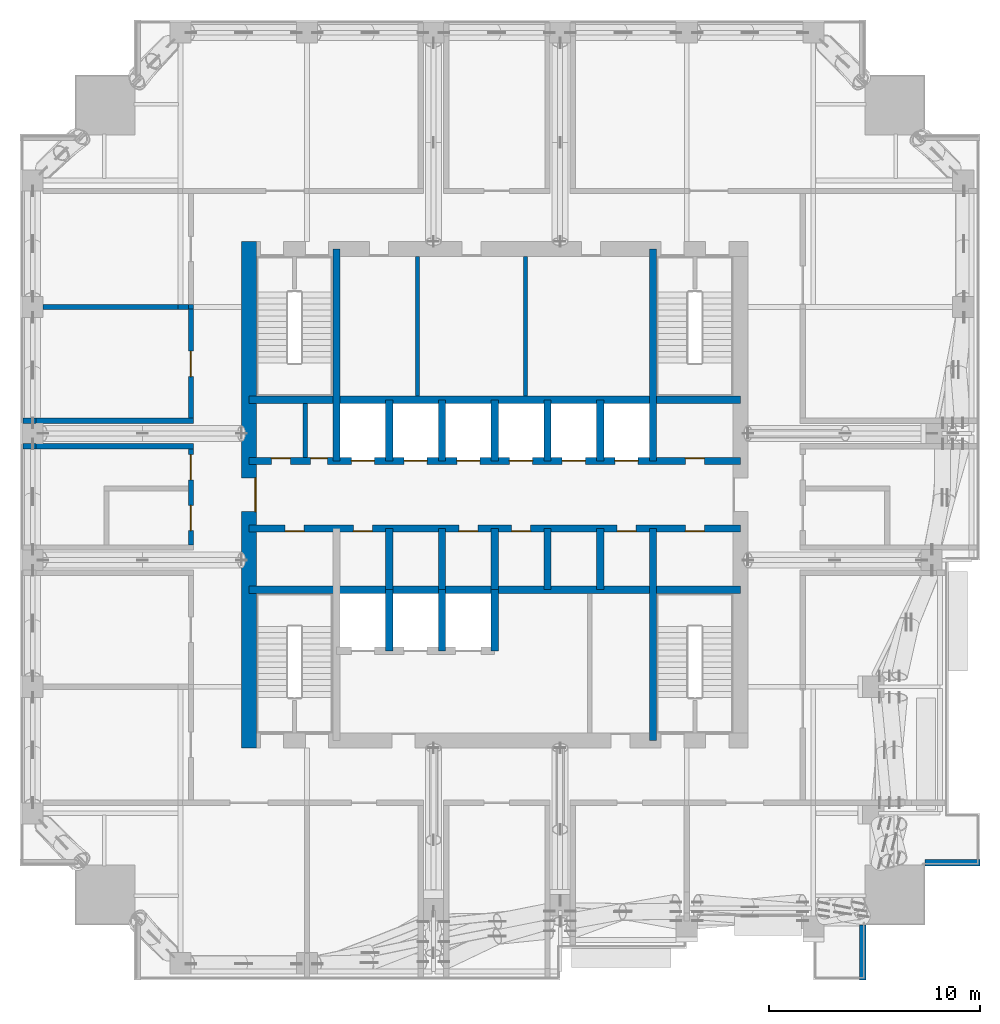
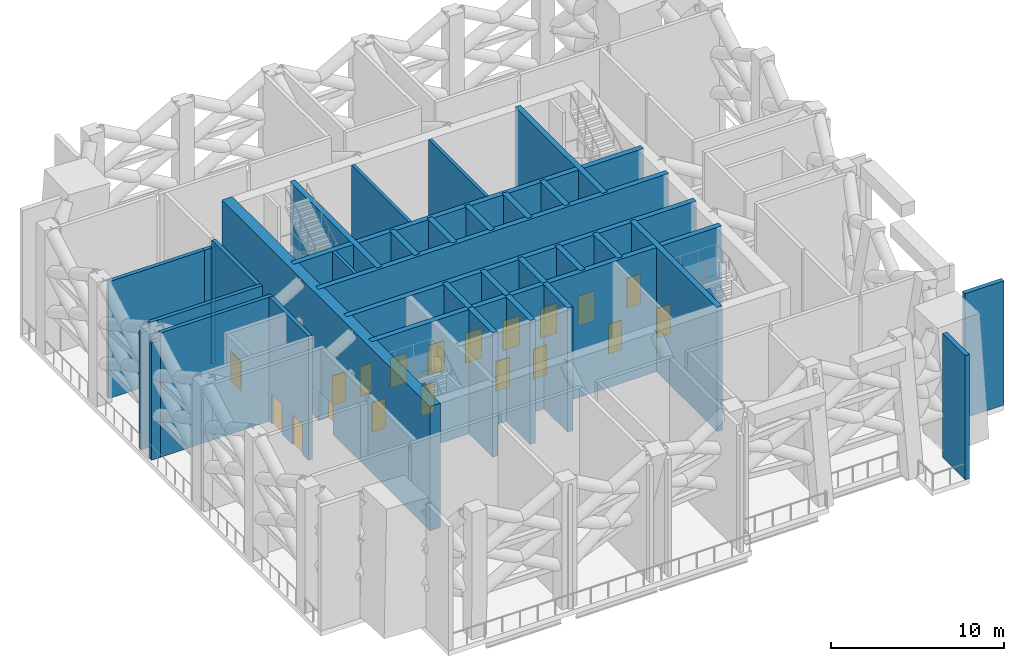
# One storey, part 8 of 18: 35 walls, 19 doors, 19 openings.
"""IFC4 building model written with IfcOpenShell, lengths in metres."""

from ifc_helpers import new_model, si_unit, direction, frame, frame_2d, origin, place, context, subcontext, project, spatial, rectangle, extrude, material, layer, layer_set, type_object, element, fill, save


model = new_model("IFC4")

# Units and contexts
model_context = context("Model", 3, precision=1e-05, world=origin(), true_north=direction((0.0, 1.0)))
body_context = subcontext(model_context, "Body", "Model", "MODEL_VIEW")
ifc_project = project(units=[si_unit("LENGTHUNIT", "METRE"), si_unit("AREAUNIT", "SQUARE_METRE"), si_unit("VOLUMEUNIT", "CUBIC_METRE"), si_unit("PLANEANGLEUNIT", "RADIAN"), si_unit("MASSUNIT", "GRAM", prefix="KILO")], contexts=[model_context])

# Site, building, storey
site_placement = place(None, origin())
site = spatial("IfcSite", under=ifc_project, at=site_placement, CompositionType="ELEMENT")
building_placement = place(site_placement, origin())
building = spatial("IfcBuilding", under=site, at=building_placement, Name="Amberfall Residences", CompositionType="ELEMENT")
storey_placement = place(building_placement, frame((0.0, 0.0, 178.0)))
storey = spatial("IfcBuildingStorey", under=building, at=storey_placement, Name="L48", CompositionType="ELEMENT", Elevation=178.0)

# Walls
ifc_material_1 = material(Name="Reinforced concrete C40", Category="concrete")
ifc_layer_1 = layer(ifc_material_1, 0.25)
ifc_layer_set_1 = layer_set([ifc_layer_1], Name="Compartment wall 250")
wall_type_1 = type_object("IfcWallType", Name="Compartment wall 250", PredefinedType="SOLIDWALL", material=ifc_layer_set_1)
wall_1_placement = place(storey_placement, frame((52.14990234375, 47.800048828125, 0.0), z_axis=(0.0, 0.0, 1.0), x_axis=(1.0, 0.0, 0.0)))
element("IfcWall", 1, at=wall_1_placement, inside=storey, type_object=wall_type_1, Name="Compartment wall 250 L48 026", PredefinedType="SOLIDWALL", context=body_context, shape_type="SweptSolid", body=[
    extrude(rectangle(XDim=0.60009765625, YDim=0.25, at=frame_2d((0.300048828125, 0.0))), origin(), (0.0, 0.0, 1.0), 8.25),
])
wall_2_placement = place(storey_placement, frame((52.75, 47.800048828125, 0.0), z_axis=(0.0, 0.0, 1.0), x_axis=(1.0, 0.0, 0.0)))
element("IfcWall", 2, at=wall_2_placement, inside=storey, type_object=wall_type_1, Name="Compartment wall 250 L48 027", PredefinedType="SOLIDWALL", context=body_context, shape_type="SweptSolid", body=[
    extrude(rectangle(XDim=7.47509765625, YDim=0.25, at=frame_2d((3.737548828125, 0.0))), origin(), (0.0, 0.0, 1.0), 8.75),
])
wall_3_placement = place(storey_placement, frame((52.14990234375, 49.0, 0.0), z_axis=(0.0, 0.0, 1.0), x_axis=(1.0, 0.0, 0.0)))
element("IfcWall", 3, at=wall_3_placement, inside=storey, type_object=wall_type_1, Name="Compartment wall 250 L48 030", PredefinedType="SOLIDWALL", context=body_context, shape_type="SweptSolid", body=[
    extrude(rectangle(XDim=0.60009765625, YDim=0.25, at=frame_2d((0.300048828125, 0.0))), origin(), (0.0, 0.0, 1.0), 8.25),
])
wall_4_placement = place(storey_placement, frame((52.75, 49.0, 0.0), z_axis=(0.0, 0.0, 1.0), x_axis=(1.0, 0.0, 0.0)))
element("IfcWall", 4, at=wall_4_placement, inside=storey, type_object=wall_type_1, Name="Compartment wall 250 L48 031", PredefinedType="SOLIDWALL", context=body_context, shape_type="SweptSolid", body=[
    extrude(rectangle(XDim=7.47509765625, YDim=0.25, at=frame_2d((3.737548828125, 0.0))), origin(), (0.0, 0.0, 1.0), 8.75),
])
wall_5_placement = place(storey_placement, frame((53.10009765625, 54.39990234375, 0.0), z_axis=(0.0, 0.0, 1.0), x_axis=(1.0, 0.0, 0.0)))
element("IfcWall", 5, at=wall_5_placement, inside=storey, type_object=wall_type_1, Name="Compartment wall 250 L48 034", PredefinedType="SOLIDWALL", context=body_context, shape_type="SweptSolid", body=[
    extrude(rectangle(XDim=6.39453125, YDim=0.25, at=frame_2d((3.197265625, 0.0))), origin(), (0.0, 0.0, 1.0), 8.217041015625),
])
wall_6_placement = place(storey_placement, frame((59.49462890625, 54.39990234375, 0.0), z_axis=(0.0, 0.0, 1.0), x_axis=(1.0, 0.0, 0.0)))
element("IfcWall", 6, at=wall_6_placement, inside=storey, type_object=wall_type_1, Name="Compartment wall 250 L48 035", PredefinedType="SOLIDWALL", context=body_context, shape_type="SweptSolid", body=[
    extrude(rectangle(XDim=0.48046875, YDim=0.25, at=frame_2d((0.240234375, 0.0))), origin(), (0.0, 0.0, 1.0), 8.2109375),
])

# Wall, openings, doors
wall_7_placement = place(storey_placement, frame((60.10009765625, 43.125, 0.0), z_axis=(0.0, 0.0, 1.0), x_axis=(0.0, 1.0, 0.0)))
wall_7 = element("IfcWall", 7, at=wall_7_placement, inside=storey, type_object=wall_type_1, Name="Compartment wall 250 L48 052", PredefinedType="SOLIDWALL", context=body_context, shape_type="SweptSolid", body=[
    extrude(rectangle(XDim=4.550048828125, YDim=0.25, at=frame_2d((2.27490234375, 0.0))), origin(), (0.0, 0.0, 1.0), 8.75),
])
opening_1_placement = place(wall_7_placement, frame((0.675048828125, 0.0, 0.0)))
opening_1 = element("IfcOpeningElement", 8, at=opening_1_placement, cuts=wall_7, Name="Opening D7", PredefinedType="OPENING", context=body_context, shape_type="SweptSolid", body=[
    extrude(rectangle(XDim=1.199951171875, YDim=2.10009765625, at=frame_2d((0.60009765625, 1.050048828125))), frame((0.0, 0.135009765625, 0.0), z_axis=(0.0, -1.0, 0.0), x_axis=(1.0, 0.0, 0.0)), (0.0, 0.0, 1.0), 0.27001953125),
])
opening_2_placement = place(wall_7_placement, frame((3.074951171875, 0.0, 0.0)))
opening_2 = element("IfcOpeningElement", 9, at=opening_2_placement, cuts=wall_7, Name="Opening D6", PredefinedType="OPENING", context=body_context, shape_type="SweptSolid", body=[
    extrude(rectangle(XDim=1.199951171875, YDim=2.10009765625, at=frame_2d((0.60009765625, 1.050048828125))), frame((0.0, 0.135009765625, 0.0), z_axis=(0.0, -1.0, 0.0), x_axis=(1.0, 0.0, 0.0)), (0.0, 0.0, 1.0), 0.27001953125),
])
ifc_material_2 = material(Name="Steel fire door leaf", Category="steel")
door_type_1 = type_object("IfcDoorType", Name="Exit door 1200x2100", OperationType="SINGLE_SWING_LEFT", PredefinedType="DOOR", material=ifc_material_2)
door_1_placement = place(opening_2_placement, origin())
door_1 = element("IfcDoor", 10, at=door_1_placement, inside=storey, type_object=door_type_1, Name="Door Refuge area 11", OperationType="SINGLE_SWING_LEFT", OverallHeight=2.10009765625, OverallWidth=1.199951171875, PredefinedType="DOOR", context=body_context, shape_type="SweptSolid", body=[
    extrude(rectangle(XDim=1.199951171875, YDim=2.10009765625, at=frame_2d((0.60009765625, 1.050048828125))), frame((0.0, 0.02490234375, 0.0), z_axis=(0.0, -1.0, 0.0), x_axis=(1.0, 0.0, 0.0)), (0.0, 0.0, 1.0), 0.050048828125),
])
fill(opening_2, door_1)
door_type_2 = type_object("IfcDoorType", Name="Plant room door 1200x2100", OperationType="SINGLE_SWING_LEFT", PredefinedType="DOOR", material=ifc_material_2)
door_2_placement = place(opening_1_placement, origin())
door_2 = element("IfcDoor", 11, at=door_2_placement, inside=storey, type_object=door_type_2, Name="Door Fire pump room W", OperationType="SINGLE_SWING_LEFT", OverallHeight=2.10009765625, OverallWidth=1.199951171875, PredefinedType="DOOR", context=body_context, shape_type="SweptSolid", body=[
    extrude(rectangle(XDim=1.199951171875, YDim=2.10009765625, at=frame_2d((0.60009765625, 1.050048828125))), frame((0.0, 0.02490234375, 0.0), z_axis=(0.0, -1.0, 0.0), x_axis=(1.0, 0.0, 0.0)), (0.0, 0.0, 1.0), 0.050048828125),
])
fill(opening_1, door_2)

# Wall, opening, door
wall_8_placement = place(storey_placement, frame((60.10009765625, 49.125, 0.0), z_axis=(0.0, 0.0, 1.0), x_axis=(0.0, 1.0, 0.0)))
wall_8 = element("IfcWall", 12, at=wall_8_placement, inside=storey, type_object=wall_type_1, Name="Compartment wall 250 L48 053", PredefinedType="SOLIDWALL", context=body_context, shape_type="SweptSolid", body=[
    extrude(rectangle(XDim=5.17041015625, YDim=0.25, at=frame_2d((2.585205078125, 0.0))), origin(), (0.0, 0.0, 1.0), 8.75),
])
opening_3_placement = place(wall_8_placement, frame((1.97509765625, 0.0, 0.0)))
opening_3 = element("IfcOpeningElement", 13, at=opening_3_placement, cuts=wall_8, Name="Opening D6", PredefinedType="OPENING", context=body_context, shape_type="SweptSolid", body=[
    extrude(rectangle(XDim=1.199951171875, YDim=2.10009765625, at=frame_2d((0.60009765625, 1.050048828125))), frame((0.0, 0.135009765625, 0.0), z_axis=(0.0, -1.0, 0.0), x_axis=(1.0, 0.0, 0.0)), (0.0, 0.0, 1.0), 0.27001953125),
])
door_3_placement = place(opening_3_placement, origin())
door_3 = element("IfcDoor", 14, at=door_3_placement, inside=storey, type_object=door_type_1, Name="Door Refuge area 12", OperationType="SINGLE_SWING_LEFT", OverallHeight=2.10009765625, OverallWidth=1.199951171875, PredefinedType="DOOR", context=body_context, shape_type="SweptSolid", body=[
    extrude(rectangle(XDim=1.199951171875, YDim=2.10009765625, at=frame_2d((0.60009765625, 1.050048828125))), frame((0.0, 0.02490234375, 0.0), z_axis=(0.0, -1.0, 0.0), x_axis=(1.0, 0.0, 0.0)), (0.0, 0.0, 1.0), 0.050048828125),
])
fill(opening_3, door_3)

# Walls
wall_9_placement = place(storey_placement, frame((60.10009765625, 54.29541015625, 0.0), z_axis=(0.0, 0.0, 1.0), x_axis=(0.0, 1.0, 0.0)))
element("IfcWall", 15, at=wall_9_placement, inside=storey, type_object=wall_type_1, Name="Compartment wall 250 L48 054", PredefinedType="SOLIDWALL", context=body_context, shape_type="SweptSolid", body=[
    extrude(rectangle(XDim=0.209228515625, YDim=0.25, at=frame_2d((0.1044921875, 0.0))), origin(), (0.0, 0.0, 1.0), 8.217041015625),
])
ifc_material_3 = material(Name="Concrete C60", Category="concrete")
ifc_layer_2 = layer(ifc_material_3, 0.35009765625)
ifc_layer_set_2 = layer_set([ifc_layer_2], Name="Core wall 350 C60")
wall_type_2 = type_object("IfcWallType", Name="Core wall 350 C60", PredefinedType="SHEAR", material=ifc_layer_set_2)
wall_10_placement = place(storey_placement, frame((62.85009765625, 41.0, 0.0), z_axis=(0.0, 0.0, 1.0), x_axis=(1.0, 0.0, 0.0)))
element("IfcWall", 16, at=wall_10_placement, inside=storey, type_object=wall_type_2, Name="Core wall RW6 L48 H75", PredefinedType="SHEAR", context=body_context, shape_type="SweptSolid", body=[
    extrude(rectangle(XDim=23.2998046875, YDim=0.35009765625, at=frame_2d((11.64990234375, 0.0))), origin(), (0.0, 0.0, 1.0), 8.75),
])

# Wall, openings, doors
wall_11_placement = place(storey_placement, frame((62.85009765625, 43.89990234375, 0.0), z_axis=(0.0, 0.0, 1.0), x_axis=(1.0, 0.0, 0.0)))
wall_11 = element("IfcWall", 17, at=wall_11_placement, inside=storey, type_object=wall_type_2, Name="Core wall RW6 L48 H104", PredefinedType="SHEAR", context=body_context, shape_type="SweptSolid", body=[
    extrude(rectangle(XDim=23.2998046875, YDim=0.35009765625, at=frame_2d((11.64990234375, 0.0))), origin(), (0.0, 0.0, 1.0), 8.75),
])
opening_4_placement = place(wall_11_placement, frame((1.71240234375, 0.0, 0.0)))
opening_4 = element("IfcOpeningElement", 18, at=opening_4_placement, cuts=wall_11, Name="Opening RD1", PredefinedType="OPENING", context=body_context, shape_type="SweptSolid", body=[
    extrude(rectangle(XDim=0.89990234375, YDim=2.10009765625, at=frame_2d((0.449951171875, 1.050048828125))), frame((0.0, 0.18505859375, 0.0), z_axis=(0.0, -1.0, 0.0), x_axis=(1.0, 0.0, 0.0)), (0.0, 0.0, 1.0), 0.3701171875),
])
opening_5_placement = place(wall_11_placement, frame((20.6875, 0.0, 0.0)))
opening_5 = element("IfcOpeningElement", 19, at=opening_5_placement, cuts=wall_11, Name="Opening RD1", PredefinedType="OPENING", context=body_context, shape_type="SweptSolid", body=[
    extrude(rectangle(XDim=0.89990234375, YDim=2.10009765625, at=frame_2d((0.449951171875, 1.050048828125))), frame((0.0, 0.18505859375, 0.0), z_axis=(0.0, -1.0, 0.0), x_axis=(1.0, 0.0, 0.0)), (0.0, 0.0, 1.0), 0.3701171875),
])
opening_6_placement = place(wall_11_placement, frame((4.949951171875, 0.0, 0.0)))
opening_6 = element("IfcOpeningElement", 20, at=opening_6_placement, cuts=wall_11, Name="Opening RD1", PredefinedType="OPENING", context=body_context, shape_type="SweptSolid", body=[
    extrude(rectangle(XDim=0.89990234375, YDim=2.10009765625, at=frame_2d((0.449951171875, 1.050048828125))), frame((0.0, 0.18505859375, 0.0), z_axis=(0.0, -1.0, 0.0), x_axis=(1.0, 0.0, 0.0)), (0.0, 0.0, 1.0), 0.3701171875),
])
opening_7_placement = place(wall_11_placement, frame((9.949951171875, 0.0, 0.0)))
opening_7 = element("IfcOpeningElement", 21, at=opening_7_placement, cuts=wall_11, Name="Opening RD1", PredefinedType="OPENING", context=body_context, shape_type="SweptSolid", body=[
    extrude(rectangle(XDim=0.89990234375, YDim=2.10009765625, at=frame_2d((0.449951171875, 1.050048828125))), frame((0.0, 0.18505859375, 0.0), z_axis=(0.0, -1.0, 0.0), x_axis=(1.0, 0.0, 0.0)), (0.0, 0.0, 1.0), 0.3701171875),
])
opening_8_placement = place(wall_11_placement, frame((12.449951171875, 0.0, 0.0)))
opening_8 = element("IfcOpeningElement", 22, at=opening_8_placement, cuts=wall_11, Name="Opening RD1", PredefinedType="OPENING", context=body_context, shape_type="SweptSolid", body=[
    extrude(rectangle(XDim=0.89990234375, YDim=2.10009765625, at=frame_2d((0.449951171875, 1.050048828125))), frame((0.0, 0.18505859375, 0.0), z_axis=(0.0, -1.0, 0.0), x_axis=(1.0, 0.0, 0.0)), (0.0, 0.0, 1.0), 0.3701171875),
])
opening_9_placement = place(wall_11_placement, frame((17.449951171875, 0.0, 0.0)))
opening_9 = element("IfcOpeningElement", 23, at=opening_9_placement, cuts=wall_11, Name="Opening RD1", PredefinedType="OPENING", context=body_context, shape_type="SweptSolid", body=[
    extrude(rectangle(XDim=0.89990234375, YDim=2.10009765625, at=frame_2d((0.449951171875, 1.050048828125))), frame((0.0, 0.18505859375, 0.0), z_axis=(0.0, -1.0, 0.0), x_axis=(1.0, 0.0, 0.0)), (0.0, 0.0, 1.0), 0.3701171875),
])
ifc_material_4 = material(Name="Steel fire door set", Category="steel")
door_type_3 = type_object("IfcDoorType", Name="Service room door 900 x 2100", OperationType="SINGLE_SWING_LEFT", PredefinedType="DOOR", material=ifc_material_4)
door_4_placement = place(opening_4_placement, origin())
door_4 = element("IfcDoor", 24, at=door_4_placement, inside=storey, type_object=door_type_3, Name="RD1 L48", OperationType="SINGLE_SWING_LEFT", OverallHeight=2.10009765625, OverallWidth=0.89990234375, PredefinedType="DOOR", context=body_context, shape_type="SweptSolid", body=[
    extrude(rectangle(XDim=0.89990234375, YDim=2.10009765625, at=frame_2d((0.449951171875, 1.050048828125))), frame((0.0, -0.1123046875, 0.0), z_axis=(0.0, -1.0, 0.0), x_axis=(1.0, 0.0, 0.0)), (0.0, 0.0, 1.0), 0.050048828125),
])
fill(opening_4, door_4)
door_5_placement = place(opening_5_placement, origin())
door_5 = element("IfcDoor", 25, at=door_5_placement, inside=storey, type_object=door_type_3, Name="RD1 L48", OperationType="SINGLE_SWING_LEFT", OverallHeight=2.10009765625, OverallWidth=0.89990234375, PredefinedType="DOOR", context=body_context, shape_type="SweptSolid", body=[
    extrude(rectangle(XDim=0.89990234375, YDim=2.10009765625, at=frame_2d((0.449951171875, 1.050048828125))), frame((0.0, -0.1123046875, 0.0), z_axis=(0.0, -1.0, 0.0), x_axis=(1.0, 0.0, 0.0)), (0.0, 0.0, 1.0), 0.050048828125),
])
fill(opening_5, door_5)
door_6_placement = place(opening_6_placement, origin())
door_6 = element("IfcDoor", 26, at=door_6_placement, inside=storey, type_object=door_type_3, Name="RD1 L48", OperationType="SINGLE_SWING_RIGHT", OverallHeight=2.10009765625, OverallWidth=0.89990234375, PredefinedType="DOOR", context=body_context, shape_type="SweptSolid", body=[
    extrude(rectangle(XDim=0.89990234375, YDim=2.10009765625, at=frame_2d((0.449951171875, 1.050048828125))), frame((0.0, -0.1123046875, 0.0), z_axis=(0.0, -1.0, 0.0), x_axis=(1.0, 0.0, 0.0)), (0.0, 0.0, 1.0), 0.050048828125),
])
fill(opening_6, door_6)
door_7_placement = place(opening_7_placement, origin())
door_7 = element("IfcDoor", 27, at=door_7_placement, inside=storey, type_object=door_type_3, Name="RD1 L48", OperationType="SINGLE_SWING_RIGHT", OverallHeight=2.10009765625, OverallWidth=0.89990234375, PredefinedType="DOOR", context=body_context, shape_type="SweptSolid", body=[
    extrude(rectangle(XDim=0.89990234375, YDim=2.10009765625, at=frame_2d((0.449951171875, 1.050048828125))), frame((0.0, -0.1123046875, 0.0), z_axis=(0.0, -1.0, 0.0), x_axis=(1.0, 0.0, 0.0)), (0.0, 0.0, 1.0), 0.050048828125),
])
fill(opening_7, door_7)
door_8_placement = place(opening_8_placement, origin())
door_8 = element("IfcDoor", 28, at=door_8_placement, inside=storey, type_object=door_type_3, Name="RD1 L48", OperationType="SINGLE_SWING_LEFT", OverallHeight=2.10009765625, OverallWidth=0.89990234375, PredefinedType="DOOR", context=body_context, shape_type="SweptSolid", body=[
    extrude(rectangle(XDim=0.89990234375, YDim=2.10009765625, at=frame_2d((0.449951171875, 1.050048828125))), frame((0.0, -0.1123046875, 0.0), z_axis=(0.0, -1.0, 0.0), x_axis=(1.0, 0.0, 0.0)), (0.0, 0.0, 1.0), 0.050048828125),
])
fill(opening_8, door_8)
door_9_placement = place(opening_9_placement, origin())
door_9 = element("IfcDoor", 29, at=door_9_placement, inside=storey, type_object=door_type_3, Name="RD1 L48", OperationType="SINGLE_SWING_LEFT", OverallHeight=2.10009765625, OverallWidth=0.89990234375, PredefinedType="DOOR", context=body_context, shape_type="SweptSolid", body=[
    extrude(rectangle(XDim=0.89990234375, YDim=2.10009765625, at=frame_2d((0.449951171875, 1.050048828125))), frame((0.0, -0.1123046875, 0.0), z_axis=(0.0, -1.0, 0.0), x_axis=(1.0, 0.0, 0.0)), (0.0, 0.0, 1.0), 0.050048828125),
])
fill(opening_9, door_9)

wall_12_placement = place(storey_placement, frame((62.85009765625, 47.10009765625, 0.0), z_axis=(0.0, 0.0, 1.0), x_axis=(1.0, 0.0, 0.0)))
wall_12 = element("IfcWall", 30, at=wall_12_placement, inside=storey, type_object=wall_type_2, Name="Core wall RW6 L48 H136", PredefinedType="SHEAR", context=body_context, shape_type="SweptSolid", body=[
    extrude(rectangle(XDim=23.2998046875, YDim=0.35009765625, at=frame_2d((11.64990234375, 0.0))), origin(), (0.0, 0.0, 1.0), 8.75),
])
opening_10_placement = place(wall_12_placement, frame((1.06005859375, 0.0, 0.0)))
opening_10 = element("IfcOpeningElement", 31, at=opening_10_placement, cuts=wall_12, Name="Opening RD1", PredefinedType="OPENING", context=body_context, shape_type="SweptSolid", body=[
    extrude(rectangle(XDim=0.89990234375, YDim=2.10009765625, at=frame_2d((0.449951171875, 1.050048828125))), frame((0.0, 0.18505859375, 0.0), z_axis=(0.0, -1.0, 0.0), x_axis=(1.0, 0.0, 0.0)), (0.0, 0.0, 1.0), 0.3701171875),
])
opening_11_placement = place(wall_12_placement, frame((2.922607421875, 0.0, 0.0)))
opening_11 = element("IfcOpeningElement", 32, at=opening_11_placement, cuts=wall_12, Name="Opening RD2", PredefinedType="OPENING", context=body_context, shape_type="SweptSolid", body=[
    extrude(rectangle(XDim=0.800048828125, YDim=2.10009765625, at=frame_2d((0.39990234375, 1.050048828125))), frame((0.0, 0.18505859375, 0.0), z_axis=(0.0, -1.0, 0.0), x_axis=(1.0, 0.0, 0.0)), (0.0, 0.0, 1.0), 0.3701171875),
])
opening_12_placement = place(wall_12_placement, frame((20.6875, 0.0, 0.0)))
opening_12 = element("IfcOpeningElement", 33, at=opening_12_placement, cuts=wall_12, Name="Opening RD1", PredefinedType="OPENING", context=body_context, shape_type="SweptSolid", body=[
    extrude(rectangle(XDim=0.89990234375, YDim=2.10009765625, at=frame_2d((0.449951171875, 1.050048828125))), frame((0.0, 0.18505859375, 0.0), z_axis=(0.0, -1.0, 0.0), x_axis=(1.0, 0.0, 0.0)), (0.0, 0.0, 1.0), 0.3701171875),
])
opening_13_placement = place(wall_12_placement, frame((4.85009765625, 0.0, 0.0)))
opening_13 = element("IfcOpeningElement", 34, at=opening_13_placement, cuts=wall_12, Name="Opening LD1", PredefinedType="OPENING", context=body_context, shape_type="SweptSolid", body=[
    extrude(rectangle(XDim=1.10009765625, YDim=2.10009765625, at=frame_2d((0.550048828125, 1.050048828125))), frame((0.0, 0.18505859375, 0.0), z_axis=(0.0, -1.0, 0.0), x_axis=(1.0, 0.0, 0.0)), (0.0, 0.0, 1.0), 0.3701171875),
])
opening_14_placement = place(wall_12_placement, frame((7.35009765625, 0.0, 0.0)))
opening_14 = element("IfcOpeningElement", 35, at=opening_14_placement, cuts=wall_12, Name="Opening LD1", PredefinedType="OPENING", context=body_context, shape_type="SweptSolid", body=[
    extrude(rectangle(XDim=1.10009765625, YDim=2.10009765625, at=frame_2d((0.550048828125, 1.050048828125))), frame((0.0, 0.18505859375, 0.0), z_axis=(0.0, -1.0, 0.0), x_axis=(1.0, 0.0, 0.0)), (0.0, 0.0, 1.0), 0.3701171875),
])
opening_15_placement = place(wall_12_placement, frame((9.85009765625, 0.0, 0.0)))
opening_15 = element("IfcOpeningElement", 36, at=opening_15_placement, cuts=wall_12, Name="Opening LD1", PredefinedType="OPENING", context=body_context, shape_type="SweptSolid", body=[
    extrude(rectangle(XDim=1.10009765625, YDim=2.10009765625, at=frame_2d((0.550048828125, 1.050048828125))), frame((0.0, 0.18505859375, 0.0), z_axis=(0.0, -1.0, 0.0), x_axis=(1.0, 0.0, 0.0)), (0.0, 0.0, 1.0), 0.3701171875),
])
opening_16_placement = place(wall_12_placement, frame((12.35009765625, 0.0, 0.0)))
opening_16 = element("IfcOpeningElement", 37, at=opening_16_placement, cuts=wall_12, Name="Opening LD1", PredefinedType="OPENING", context=body_context, shape_type="SweptSolid", body=[
    extrude(rectangle(XDim=1.10009765625, YDim=2.10009765625, at=frame_2d((0.550048828125, 1.050048828125))), frame((0.0, 0.18505859375, 0.0), z_axis=(0.0, -1.0, 0.0), x_axis=(1.0, 0.0, 0.0)), (0.0, 0.0, 1.0), 0.3701171875),
])
opening_17_placement = place(wall_12_placement, frame((14.85009765625, 0.0, 0.0)))
opening_17 = element("IfcOpeningElement", 38, at=opening_17_placement, cuts=wall_12, Name="Opening LD1", PredefinedType="OPENING", context=body_context, shape_type="SweptSolid", body=[
    extrude(rectangle(XDim=1.10009765625, YDim=2.10009765625, at=frame_2d((0.550048828125, 1.050048828125))), frame((0.0, 0.18505859375, 0.0), z_axis=(0.0, -1.0, 0.0), x_axis=(1.0, 0.0, 0.0)), (0.0, 0.0, 1.0), 0.3701171875),
])
opening_18_placement = place(wall_12_placement, frame((17.35009765625, 0.0, 0.0)))
opening_18 = element("IfcOpeningElement", 39, at=opening_18_placement, cuts=wall_12, Name="Opening LD1", PredefinedType="OPENING", context=body_context, shape_type="SweptSolid", body=[
    extrude(rectangle(XDim=1.10009765625, YDim=2.10009765625, at=frame_2d((0.550048828125, 1.050048828125))), frame((0.0, 0.18505859375, 0.0), z_axis=(0.0, -1.0, 0.0), x_axis=(1.0, 0.0, 0.0)), (0.0, 0.0, 1.0), 0.3701171875),
])
door_type_4 = type_object("IfcDoorType", Name="Lift landing door 1100 x 2100", OperationType="DOUBLE_DOOR_SLIDING", PredefinedType="DOOR", material=ifc_material_4)
door_10_placement = place(opening_13_placement, origin())
door_10 = element("IfcDoor", 40, at=door_10_placement, inside=storey, type_object=door_type_4, Name="Landing door HP1 L48", OperationType="DOUBLE_DOOR_SLIDING", OverallHeight=2.10009765625, OverallWidth=1.10009765625, PredefinedType="DOOR", context=body_context, shape_type="SweptSolid", body=[
    extrude(rectangle(XDim=1.10009765625, YDim=2.10009765625, at=frame_2d((0.550048828125, 1.050048828125))), frame((0.0, 0.02490234375, 0.0), z_axis=(0.0, -1.0, 0.0), x_axis=(1.0, 0.0, 0.0)), (0.0, 0.0, 1.0), 0.050048828125),
])
fill(opening_13, door_10)
door_11_placement = place(opening_14_placement, origin())
door_11 = element("IfcDoor", 41, at=door_11_placement, inside=storey, type_object=door_type_4, Name="Landing door HP2 L48", OperationType="DOUBLE_DOOR_SLIDING", OverallHeight=2.10009765625, OverallWidth=1.10009765625, PredefinedType="DOOR", context=body_context, shape_type="SweptSolid", body=[
    extrude(rectangle(XDim=1.10009765625, YDim=2.10009765625, at=frame_2d((0.550048828125, 1.050048828125))), frame((0.0, 0.02490234375, 0.0), z_axis=(0.0, -1.0, 0.0), x_axis=(1.0, 0.0, 0.0)), (0.0, 0.0, 1.0), 0.050048828125),
])
fill(opening_14, door_11)
door_12_placement = place(opening_15_placement, origin())
door_12 = element("IfcDoor", 42, at=door_12_placement, inside=storey, type_object=door_type_4, Name="Landing door HP3 L48", OperationType="DOUBLE_DOOR_SLIDING", OverallHeight=2.10009765625, OverallWidth=1.10009765625, PredefinedType="DOOR", context=body_context, shape_type="SweptSolid", body=[
    extrude(rectangle(XDim=1.10009765625, YDim=2.10009765625, at=frame_2d((0.550048828125, 1.050048828125))), frame((0.0, 0.02490234375, 0.0), z_axis=(0.0, -1.0, 0.0), x_axis=(1.0, 0.0, 0.0)), (0.0, 0.0, 1.0), 0.050048828125),
])
fill(opening_15, door_12)
door_13_placement = place(opening_16_placement, origin())
door_13 = element("IfcDoor", 43, at=door_13_placement, inside=storey, type_object=door_type_4, Name="Landing door HP4 L48", OperationType="DOUBLE_DOOR_SLIDING", OverallHeight=2.10009765625, OverallWidth=1.10009765625, PredefinedType="DOOR", context=body_context, shape_type="SweptSolid", body=[
    extrude(rectangle(XDim=1.10009765625, YDim=2.10009765625, at=frame_2d((0.550048828125, 1.050048828125))), frame((0.0, 0.02490234375, 0.0), z_axis=(0.0, -1.0, 0.0), x_axis=(1.0, 0.0, 0.0)), (0.0, 0.0, 1.0), 0.050048828125),
])
fill(opening_16, door_13)
door_14_placement = place(opening_17_placement, origin())
door_14 = element("IfcDoor", 44, at=door_14_placement, inside=storey, type_object=door_type_4, Name="Landing door HP5 L48", OperationType="DOUBLE_DOOR_SLIDING", OverallHeight=2.10009765625, OverallWidth=1.10009765625, PredefinedType="DOOR", context=body_context, shape_type="SweptSolid", body=[
    extrude(rectangle(XDim=1.10009765625, YDim=2.10009765625, at=frame_2d((0.550048828125, 1.050048828125))), frame((0.0, 0.02490234375, 0.0), z_axis=(0.0, -1.0, 0.0), x_axis=(1.0, 0.0, 0.0)), (0.0, 0.0, 1.0), 0.050048828125),
])
fill(opening_17, door_14)
door_15_placement = place(opening_18_placement, origin())
door_15 = element("IfcDoor", 45, at=door_15_placement, inside=storey, type_object=door_type_4, Name="Landing door HP6 L48", OperationType="DOUBLE_DOOR_SLIDING", OverallHeight=2.10009765625, OverallWidth=1.10009765625, PredefinedType="DOOR", context=body_context, shape_type="SweptSolid", body=[
    extrude(rectangle(XDim=1.10009765625, YDim=2.10009765625, at=frame_2d((0.550048828125, 1.050048828125))), frame((0.0, 0.02490234375, 0.0), z_axis=(0.0, -1.0, 0.0), x_axis=(1.0, 0.0, 0.0)), (0.0, 0.0, 1.0), 0.050048828125),
])
fill(opening_18, door_15)
door_type_5 = type_object("IfcDoorType", Name="Service room door 800 x 2100", OperationType="SINGLE_SWING_LEFT", PredefinedType="DOOR", material=ifc_material_4)
door_16_placement = place(opening_11_placement, origin())
door_16 = element("IfcDoor", 46, at=door_16_placement, inside=storey, type_object=door_type_5, Name="RD2 L48", OperationType="SINGLE_SWING_RIGHT", OverallHeight=2.10009765625, OverallWidth=0.800048828125, PredefinedType="DOOR", context=body_context, shape_type="SweptSolid", body=[
    extrude(rectangle(XDim=0.800048828125, YDim=2.10009765625, at=frame_2d((0.39990234375, 1.050048828125))), frame((0.0, 0.16259765625, 0.0), z_axis=(0.0, -1.0, 0.0), x_axis=(1.0, 0.0, 0.0)), (0.0, 0.0, 1.0), 0.050048828125),
])
fill(opening_11, door_16)
door_17_placement = place(opening_10_placement, origin())
door_17 = element("IfcDoor", 47, at=door_17_placement, inside=storey, type_object=door_type_3, Name="RD1 L48", OperationType="SINGLE_SWING_LEFT", OverallHeight=2.10009765625, OverallWidth=0.89990234375, PredefinedType="DOOR", context=body_context, shape_type="SweptSolid", body=[
    extrude(rectangle(XDim=0.89990234375, YDim=2.10009765625, at=frame_2d((0.449951171875, 1.050048828125))), frame((0.0, 0.16259765625, 0.0), z_axis=(0.0, -1.0, 0.0), x_axis=(1.0, 0.0, 0.0)), (0.0, 0.0, 1.0), 0.050048828125),
])
fill(opening_10, door_17)
door_18_placement = place(opening_12_placement, origin())
door_18 = element("IfcDoor", 48, at=door_18_placement, inside=storey, type_object=door_type_3, Name="RD1 L48", OperationType="SINGLE_SWING_LEFT", OverallHeight=2.10009765625, OverallWidth=0.89990234375, PredefinedType="DOOR", context=body_context, shape_type="SweptSolid", body=[
    extrude(rectangle(XDim=0.89990234375, YDim=2.10009765625, at=frame_2d((0.449951171875, 1.050048828125))), frame((0.0, 0.16259765625, 0.0), z_axis=(0.0, -1.0, 0.0), x_axis=(1.0, 0.0, 0.0)), (0.0, 0.0, 1.0), 0.050048828125),
])
fill(opening_12, door_18)

# Walls
wall_13_placement = place(storey_placement, frame((62.85009765625, 50.0, 0.0), z_axis=(0.0, 0.0, 1.0), x_axis=(1.0, 0.0, 0.0)))
element("IfcWall", 49, at=wall_13_placement, inside=storey, type_object=wall_type_2, Name="Core wall RW6 L48 H165", PredefinedType="SHEAR", context=body_context, shape_type="SweptSolid", body=[
    extrude(rectangle(XDim=23.2998046875, YDim=0.35009765625, at=frame_2d((11.64990234375, 0.0))), origin(), (0.0, 0.0, 1.0), 8.75),
])
for number, where, z_axis, x_axis, name in (
    (50, (67.0, 47.10009765625, 0.0), (0.0, 0.0, 1.0), (0.0, 1.0, 0.0), "Core wall RW6 L48 V45N"),
    (51, (82.0, 33.85009765625, 0.0), (0.0, 0.0, 1.0), (0.0, 1.0, 0.0), "Core wall RW6 L48 V195S"),
    (52, (82.0, 47.10009765625, 0.0), (0.0, 0.0, 1.0), (0.0, 1.0, 0.0), "Core wall RW6 L48 V195N"),
):
    element("IfcWall", number, at=place(storey_placement, frame(where, z_axis=z_axis, x_axis=x_axis)), inside=storey, type_object=wall_type_2, Name=name, PredefinedType="SHEAR", context=body_context, shape_type="SweptSolid", body=[
        extrude(rectangle(XDim=10.0498046875, YDim=0.35009765625, at=frame_2d((5.02490234375, 0.0))), origin(), (0.0, 0.0, 1.0), 8.75),
    ])
for number, where, z_axis, x_axis, name in (
    (53, (69.5, 41.0, 0.0), (0.0, 0.0, 1.0), (0.0, 1.0, 0.0), "Core wall RW6 L48 LPD1"),
    (54, (69.5, 47.10009765625, 0.0), (0.0, 0.0, 1.0), (0.0, 1.0, 0.0), "Core wall RW6 L48 HPD1"),
    (55, (72.0, 41.0, 0.0), (0.0, 0.0, 1.0), (0.0, 1.0, 0.0), "Core wall RW6 L48 LPD2"),
    (56, (72.0, 47.10009765625, 0.0), (0.0, 0.0, 1.0), (0.0, 1.0, 0.0), "Core wall RW6 L48 HPD2"),
    (57, (74.5, 41.0, 0.0), (0.0, 0.0, 1.0), (0.0, 1.0, 0.0), "Core wall RW6 L48 LPD3"),
    (58, (74.5, 47.10009765625, 0.0), (0.0, 0.0, 1.0), (0.0, 1.0, 0.0), "Core wall RW6 L48 HPD3"),
    (59, (77.0, 41.0, 0.0), (0.0, 0.0, 1.0), (0.0, 1.0, 0.0), "Core wall RW6 L48 LPD4"),
    (60, (77.0, 47.10009765625, 0.0), (0.0, 0.0, 1.0), (0.0, 1.0, 0.0), "Core wall RW6 L48 HPD4"),
    (61, (79.5, 41.0, 0.0), (0.0, 0.0, 1.0), (0.0, 1.0, 0.0), "Core wall RW6 L48 LPD5"),
    (62, (79.5, 47.10009765625, 0.0), (0.0, 0.0, 1.0), (0.0, 1.0, 0.0), "Core wall RW6 L48 HPD5"),
    (63, (69.5, 38.10009765625, 0.0), (0.0, 0.0, 1.0), (0.0, 1.0, 0.0), "Core wall RW6 L48 FFD1"),
    (64, (72.0, 38.10009765625, 0.0), (0.0, 0.0, 1.0), (0.0, 1.0, 0.0), "Core wall RW6 L48 FFD2"),
    (65, (74.5, 38.10009765625, 0.0), (0.0, 0.0, 1.0), (0.0, 1.0, 0.0), "Core wall RW6 L48 FFD3"),
):
    element("IfcWall", number, at=place(storey_placement, frame(where, z_axis=z_axis, x_axis=x_axis)), inside=storey, type_object=wall_type_2, Name=name, PredefinedType="SHEAR", context=body_context, shape_type="SweptSolid", body=[
        extrude(rectangle(XDim=2.89990234375, YDim=0.35009765625, at=frame_2d((1.449951171875, 0.0))), origin(), (0.0, 0.0, 1.0), 8.75),
    ])

# Wall, opening, door
ifc_layer_3 = layer(ifc_material_3, 0.699951171875)
ifc_layer_set_3 = layer_set([ifc_layer_3], Name="Core wall 700 C60")
wall_type_3 = type_object("IfcWallType", Name="Core wall 700 C60", PredefinedType="SHEAR", material=ifc_layer_set_3)
wall_14_placement = place(storey_placement, frame((62.85009765625, 33.5, 0.0), z_axis=(0.0, 0.0, 1.0), x_axis=(0.0, 1.0, 0.0)))
wall_14 = element("IfcWall", 66, at=wall_14_placement, inside=storey, type_object=wall_type_3, Name="Core wall RW5 L48 OW", PredefinedType="SHEAR", context=body_context, shape_type="SweptSolid", body=[
    extrude(rectangle(XDim=24.0, YDim=0.699951171875, at=frame_2d((12.0, 0.0))), origin(), (0.0, 0.0, 1.0), 8.75),
])
opening_19_placement = place(wall_14_placement, frame((11.199951171875, 0.0, 0.0)))
opening_19 = element("IfcOpeningElement", 67, at=opening_19_placement, cuts=wall_14, Name="Opening LB1", PredefinedType="OPENING", context=body_context, shape_type="SweptSolid", body=[
    extrude(rectangle(XDim=1.60009765625, YDim=2.10009765625, at=frame_2d((0.800048828125, 1.050048828125))), frame((0.0, 0.35986328125, 0.0), z_axis=(0.0, -1.0, 0.0), x_axis=(1.0, 0.0, 0.0)), (0.0, 0.0, 1.0), 0.719970703125),
])
door_type_6 = type_object("IfcDoorType", Name="Lift lobby double door 1600 x 2100", OperationType="DOUBLE_DOOR_SINGLE_SWING", PredefinedType="DOOR", material=ifc_material_4)
door_19_placement = place(opening_19_placement, origin())
door_19 = element("IfcDoor", 68, at=door_19_placement, inside=storey, type_object=door_type_6, Name="LB1 L48", OperationType="DOUBLE_DOOR_SINGLE_SWING", OverallHeight=2.10009765625, OverallWidth=1.60009765625, PredefinedType="DOOR", context=body_context, shape_type="SweptSolid", body=[
    extrude(rectangle(XDim=1.60009765625, YDim=2.10009765625, at=frame_2d((0.800048828125, 1.050048828125))), frame((0.0, -0.28759765625, 0.0), z_axis=(0.0, -1.0, 0.0), x_axis=(1.0, 0.0, 0.0)), (0.0, 0.0, 1.0), 0.050048828125),
])
fill(opening_19, door_19)

# Walls
ifc_material_5 = material(Name="Bronze aluminium louvre cladding on insulated backing", Category="aluminium")
ifc_layer_4 = layer(ifc_material_5, 0.300048828125)
ifc_layer_set_4 = layer_set([ifc_layer_4], Name="Louvre clad wall 300")
wall_type_4 = type_object("IfcWallType", Name="Louvre clad wall 300", PredefinedType="SOLIDWALL", material=ifc_layer_set_4)
for number, where, z_axis, x_axis, name in (
    (69, (91.949951171875, 22.5, 0.0), (0.0, 0.0, 1.0), (0.0, 1.0, 0.0), "External wall L48 SE"),
    (70, (94.89990234375, 28.050048828125, 0.0), (0.0, 0.0, 1.0), (1.0, 0.0, 0.0), "External wall L48 SE"),
):
    element("IfcWall", number, at=place(storey_placement, frame(where, z_axis=z_axis, x_axis=x_axis)), inside=storey, type_object=wall_type_4, Name=name, PredefinedType="SOLIDWALL", context=body_context, shape_type="SweptSolid", body=[
        extrude(rectangle(XDim=2.60009765625, YDim=0.300048828125, at=frame_2d((1.300048828125, 0.0))), origin(), (0.0, 0.0, 1.0), 8.75),
    ])
ifc_material_6 = material(Name="Concrete blockwork", Category="masonry")
ifc_layer_5 = layer(ifc_material_6, 0.199951171875)
ifc_layer_set_5 = layer_set([ifc_layer_5], Name="Riser wall 200")
wall_type_5 = type_object("IfcWallType", Name="Riser wall 200", PredefinedType="PLUMBINGWALL", material=ifc_layer_set_5)
wall_15_placement = place(storey_placement, frame((65.52001953125, 47.27490234375, 0.0), z_axis=(0.0, 0.0, 1.0), x_axis=(0.0, 1.0, 0.0)))
element("IfcWall", 71, at=wall_15_placement, inside=storey, type_object=wall_type_5, Name="L48 core wall ANW0", PredefinedType="PLUMBINGWALL", context=body_context, shape_type="SweptSolid", body=[
    extrude(rectangle(XDim=2.550048828125, YDim=0.199951171875, at=frame_2d((1.27490234375, 0.0))), origin(), (0.0, 0.0, 1.0), 8.75),
])
for number, where, z_axis, x_axis, name in (
    (72, (70.83740234375, 50.175048828125, 0.0), (0.0, 0.0, 1.0), (0.0, 1.0, 0.0), "L48 core wall N0"),
    (73, (75.965087890625, 50.175048828125, 0.0), (0.0, 0.0, 1.0), (0.0, 1.0, 0.0), "L48 core wall N1"),
):
    element("IfcWall", number, at=place(storey_placement, frame(where, z_axis=z_axis, x_axis=x_axis)), inside=storey, type_object=wall_type_5, Name=name, PredefinedType="PLUMBINGWALL", context=body_context, shape_type="SweptSolid", body=[
        extrude(rectangle(XDim=6.625, YDim=0.199951171875, at=frame_2d((3.3125, 0.0))), origin(), (0.0, 0.0, 1.0), 8.75),
    ])

save(model, "model.ifc")
